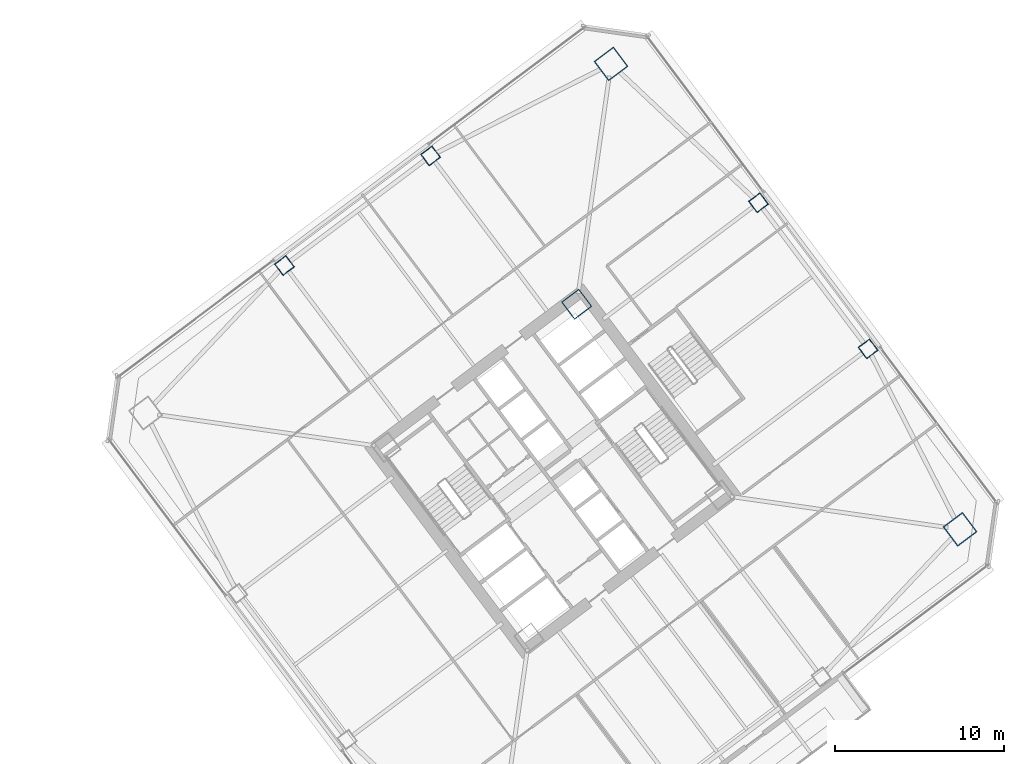
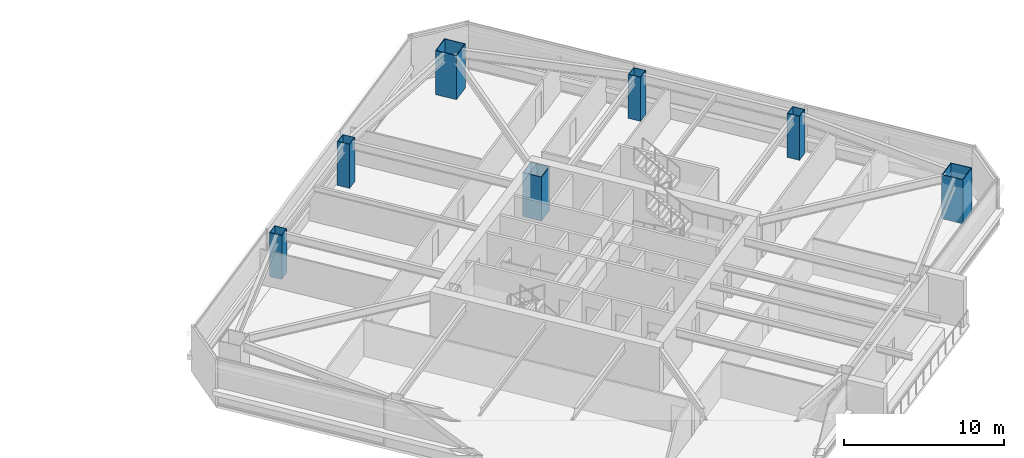
# One storey, part 2 of 44: 7 columns.
"""IFC4 building model written with IfcOpenShell, lengths in metres."""

from ifc_helpers import new_model, si_unit, direction, frame, origin, origin_2d, place, context, subcontext, project, spatial, hollow_rectangle, extrude, material, material_profile, profile_set, type_object, element, save


model = new_model("IFC4")

# Units and contexts
model_context = context("Model", 3, precision=1e-05, world=origin(), true_north=direction((0.0, 1.0)))
body_context = subcontext(model_context, "Body", "Model", "MODEL_VIEW")
ifc_project = project(units=[si_unit("LENGTHUNIT", "METRE"), si_unit("AREAUNIT", "SQUARE_METRE"), si_unit("VOLUMEUNIT", "CUBIC_METRE"), si_unit("PLANEANGLEUNIT", "RADIAN"), si_unit("MASSUNIT", "GRAM", prefix="KILO")], contexts=[model_context])

# Site, building, storey
site_placement = place(None, origin())
site = spatial("IfcSite", under=ifc_project, at=site_placement, CompositionType="ELEMENT")
building_placement = place(site_placement, origin())
building = spatial("IfcBuilding", under=site, at=building_placement, Name="Tashvorn Skyway Center", CompositionType="ELEMENT")
storey_placement = place(building_placement, frame((0.0, 0.0, 102.699951171875)))
storey = spatial("IfcBuildingStorey", under=building, at=storey_placement, Name="L27", CompositionType="ELEMENT", Elevation=102.699951171875)

# Columns
ifc_material = material(Name="Steel ASTM A572 Grade 50", Category="steel")
ifc_material_profile_1 = material_profile(ifc_material, hollow_rectangle(XDim=1.300048828125, YDim=1.300048828125, WallThickness=0.050048828125, at=origin_2d()), Name="BOX1300x1300x50")
ifc_profile_set_1 = profile_set([ifc_material_profile_1], Name="Steel ASTM A572 Grade 50")
column_type_1 = type_object("IfcColumnType", Name="COL-BOX1300x1300x50", PredefinedType="COLUMN", material=ifc_profile_set_1)
column_placement = place(storey_placement, frame((115.409912109375, 41.8701171875, 0.0), z_axis=(0.0, 0.0, 1.0), x_axis=(0.799999996291, 0.600000004945, 0.0)))
element("IfcColumn", 1, at=column_placement, inside=storey, type_object=column_type_1, Name="Tower 2 L27 Core Corner Column CC-NE", PredefinedType="COLUMN", context=body_context, shape_type="SweptSolid", body=[
    extrude(hollow_rectangle(XDim=1.300048828125, YDim=1.300048828125, WallThickness=0.050048828125, at=origin_2d()), origin(), (0.0, 0.0, 1.0), 3.35009765625),
])
ifc_material_profile_2 = material_profile(ifc_material, hollow_rectangle(XDim=1.449951171875, YDim=1.449951171875, WallThickness=0.054931640625, at=origin_2d()), Name="BOX1450x1450x55")
ifc_profile_set_2 = profile_set([ifc_material_profile_2], Name="Steel ASTM A572 Grade 50")
column_type_2 = type_object("IfcColumnType", Name="COL-BOX1450x1450x55", PredefinedType="COLUMN", material=ifc_profile_set_2)
for number, where, z_axis, x_axis, name in (
    (2, (138.080078125, 28.56005859375, 0.0), (0.0, 0.0, 1.0), (0.799999996291, 0.600000004945, 0.0), "Tower 2 L27 Mega-Column MC-SE"),
    (3, (117.43994140625, 56.080078125, 0.0), (0.0, 0.0, 1.0), (0.799999996291, 0.600000004945, 0.0), "Tower 2 L27 Mega-Column MC-NE"),
):
    element("IfcColumn", number, at=place(storey_placement, frame(where, z_axis=z_axis, x_axis=x_axis)), inside=storey, type_object=column_type_2, Name=name, PredefinedType="COLUMN", context=body_context, shape_type="SweptSolid", body=[
        extrude(hollow_rectangle(XDim=1.449951171875, YDim=1.449951171875, WallThickness=0.054931640625, at=origin_2d()), origin(), (0.0, 0.0, 1.0), 3.35009765625),
    ])
ifc_material_profile_3 = material_profile(ifc_material, hollow_rectangle(XDim=0.85009765625, YDim=0.85009765625, WallThickness=0.034912109375, at=origin_2d()), Name="BOX850x850x35")
ifc_profile_set_3 = profile_set([ifc_material_profile_3], Name="Steel ASTM A572 Grade 50")
column_type_3 = type_object("IfcColumnType", Name="COL-BOX850x850x35", PredefinedType="COLUMN", material=ifc_profile_set_3)
for number, where, z_axis, x_axis, name in (
    (4, (132.639892578125, 39.22998046875, 0.0), (0.0, 0.0, 1.0), (0.799999996291, 0.600000004945, 0.0), "Tower 2 L27 Perimeter Column FC-E1"),
    (5, (126.159912109375, 47.8701171875, 0.0), (0.0, 0.0, 1.0), (0.799999996291, 0.600000004945, 0.0), "Tower 2 L27 Perimeter Column FC-E2"),
    (6, (106.77001953125, 50.639892578125, 0.0), (0.0, 0.0, 1.0), (0.799999996291, 0.600000004945, 0.0), "Tower 2 L27 Perimeter Column FC-N1"),
    (7, (98.1298828125, 44.159912109375, 0.0), (0.0, 0.0, 1.0), (0.799999996291, 0.600000004945, 0.0), "Tower 2 L27 Perimeter Column FC-N2"),
):
    element("IfcColumn", number, at=place(storey_placement, frame(where, z_axis=z_axis, x_axis=x_axis)), inside=storey, type_object=column_type_3, Name=name, PredefinedType="COLUMN", context=body_context, shape_type="SweptSolid", body=[
        extrude(hollow_rectangle(XDim=0.85009765625, YDim=0.85009765625, WallThickness=0.034912109375, at=origin_2d()), origin(), (0.0, 0.0, 1.0), 3.35009765625),
    ])

save(model, "model.ifc")
